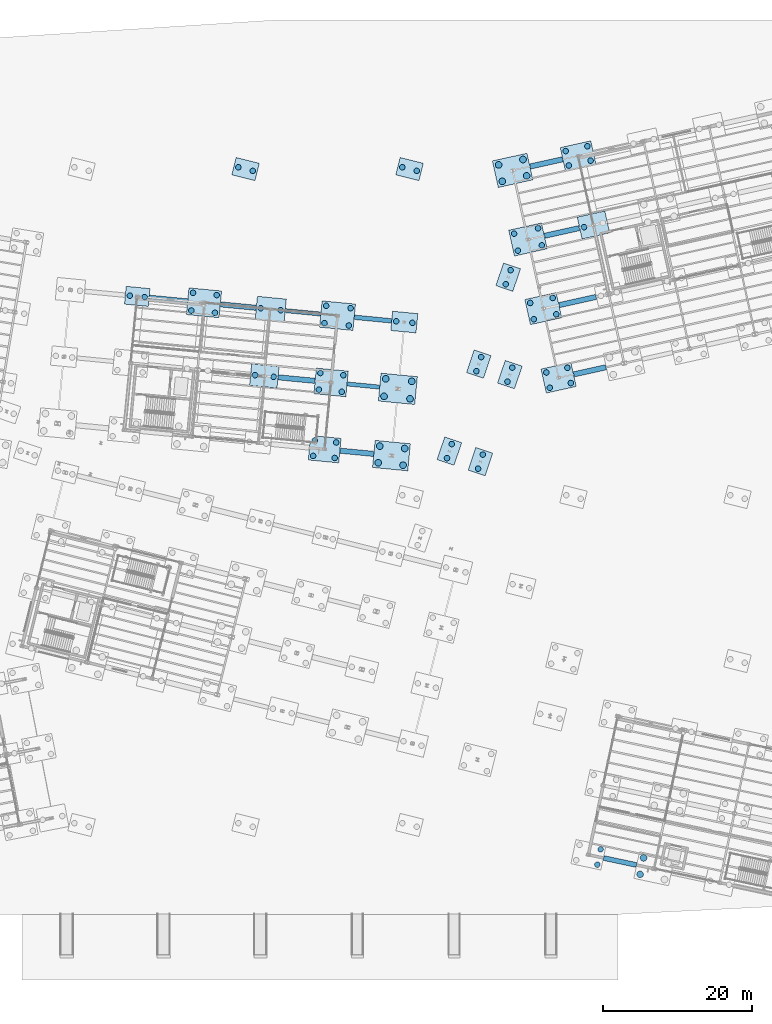
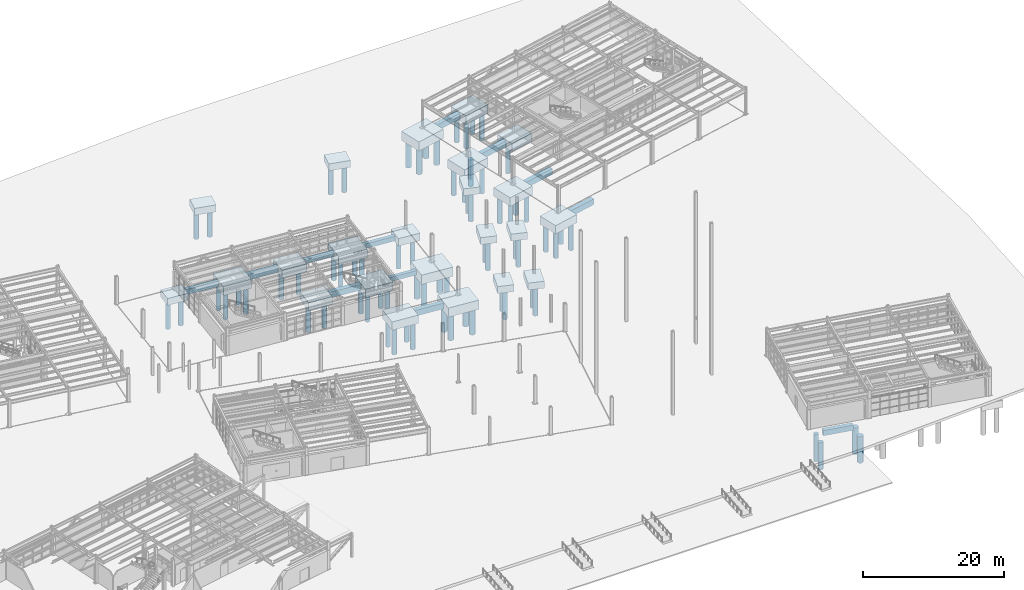
# One storey, part 6 of 108: 71 piles, 35 footings.
"""IFC4 building model written with IfcOpenShell, lengths in metres."""

from ifc_helpers import new_model, si_unit, direction, frame, origin, origin_2d, place, context, subcontext, project, spatial, rectangle, circle, extrude, material, material_profile, profile_set, type_object, element, save


model = new_model("IFC4")

# Units and contexts
model_context = context("Model", 3, precision=1e-05, world=origin(), true_north=direction((0.0, 1.0)))
body_context = subcontext(model_context, "Body", "Model", "MODEL_VIEW")
ifc_project = project(units=[si_unit("LENGTHUNIT", "METRE"), si_unit("AREAUNIT", "SQUARE_METRE"), si_unit("VOLUMEUNIT", "CUBIC_METRE"), si_unit("PLANEANGLEUNIT", "RADIAN"), si_unit("MASSUNIT", "GRAM", prefix="KILO")], contexts=[model_context])

# Site, building, storey
site_placement = place(None, origin())
site = spatial("IfcSite", under=ifc_project, at=site_placement, CompositionType="ELEMENT")
building_placement = place(site_placement, origin())
building = spatial("IfcBuilding", under=site, at=building_placement, Name="Vireo Bluff Cable Station", CompositionType="ELEMENT")
storey_placement = place(building_placement, origin())
storey = spatial("IfcBuildingStorey", under=building, at=storey_placement, Name="L00", CompositionType="ELEMENT", Elevation=0.0)

# Piles
ifc_material_1 = material(Name="Concrete f'c 45 MPa", Category="concrete")
ifc_material_profile_1 = material_profile(ifc_material_1, circle(Radius=0.375, at=origin_2d()), Name="BOREDPILE-750")
ifc_profile_set_1 = profile_set([ifc_material_profile_1], Name="Concrete f'c 45 MPa")
pile_type_1 = type_object("IfcPileType", Name="BOREDPILE-750", PredefinedType="BORED", material=ifc_profile_set_1)
for number, where, z_axis, x_axis, name in (
    (1, (124.8154296875, 72.6669921875, -1.77001953125), (0.0, 0.0, -1.0), (1.0, 0.0, 0.0), "V2 rock-socketed bored pile 79"),
    (2, (127.636962890625, 73.29248046875, -1.77001953125), (0.0, 0.0, -1.0), (1.0, 0.0, 0.0), "V2 rock-socketed bored pile 80"),
    (3, (127.1845703125, 75.3330078125, -1.77001953125), (0.0, 0.0, -1.0), (1.0, 0.0, 0.0), "V2 rock-socketed bored pile 81"),
    (4, (124.363037109375, 74.70751953125, -1.77001953125), (0.0, 0.0, -1.0), (1.0, 0.0, 0.0), "V2 rock-socketed bored pile 82"),
):
    element("IfcPile", number, at=place(storey_placement, frame(where, z_axis=z_axis, x_axis=x_axis)), inside=storey, type_object=pile_type_1, Name=name, PredefinedType="BORED", context=body_context, shape_type="SweptSolid", body=[
        extrude(circle(Radius=0.375, at=origin_2d()), origin(), (0.0, 0.0, 1.0), 4.72998046875),
    ])
for number, where, z_axis, x_axis, name in (
    (5, (122.677978515625, 81.846923828125, -1.81005859375), (0.0, 0.0, -1.0), (1.0, 0.0, 0.0), "V2 rock-socketed bored pile 83"),
    (6, (125.694580078125, 82.515869140625, -1.81005859375), (0.0, 0.0, -1.0), (1.0, 0.0, 0.0), "V2 rock-socketed bored pile 84"),
    (7, (125.209716796875, 84.70263671875, -1.81005859375), (0.0, 0.0, -1.0), (1.0, 0.0, 0.0), "V2 rock-socketed bored pile 85"),
    (8, (122.193115234375, 84.033935546875, -1.81005859375), (0.0, 0.0, -1.0), (1.0, 0.0, 0.0), "V2 rock-socketed bored pile 86"),
):
    element("IfcPile", number, at=place(storey_placement, frame(where, z_axis=z_axis, x_axis=x_axis)), inside=storey, type_object=pile_type_1, Name=name, PredefinedType="BORED", context=body_context, shape_type="SweptSolid", body=[
        extrude(circle(Radius=0.375, at=origin_2d()), origin(), (0.0, 0.0, 1.0), 4.68994140625),
    ])
for number, where, z_axis, x_axis, name in (
    (9, (120.534912109375, 91.05126953125, -1.85009765625), (0.0, 0.0, -1.0), (1.0, 0.0, 0.0), "V2 rock-socketed bored pile 87"),
    (10, (123.746826171875, 91.763427734375, -1.85009765625), (0.0, 0.0, -1.0), (1.0, 0.0, 0.0), "V2 rock-socketed bored pile 88"),
    (11, (123.240478515625, 94.0478515625, -1.85009765625), (0.0, 0.0, -1.0), (1.0, 0.0, 0.0), "V2 rock-socketed bored pile 89"),
    (12, (120.0283203125, 93.3359375, -1.85009765625), (0.0, 0.0, -1.0), (1.0, 0.0, 0.0), "V2 rock-socketed bored pile 90"),
):
    element("IfcPile", number, at=place(storey_placement, frame(where, z_axis=z_axis, x_axis=x_axis)), inside=storey, type_object=pile_type_1, Name=name, PredefinedType="BORED", context=body_context, shape_type="SweptSolid", body=[
        extrude(circle(Radius=0.375, at=origin_2d()), origin(), (0.0, 0.0, 1.0), 4.64990234375),
    ])
pile_placement = place(storey_placement, frame((129.409912109375, 94.21728515625, -1.72998046875), z_axis=(0.0, 0.0, -1.0), x_axis=(1.0, 0.0, 0.0)))
element("IfcPile", 13, at=pile_placement, inside=storey, type_object=pile_type_1, Name="V2 rock-socketed bored pile 101", PredefinedType="BORED", context=body_context, shape_type="SweptSolid", body=[
    extrude(circle(Radius=0.375, at=origin_2d()), origin(), (0.0, 0.0, 1.0), 4.77001953125),
])
for number, where, z_axis, x_axis, name in (
    (14, (127.3740234375, 102.477294921875, -1.830078125), (0.0, 0.0, -1.0), (1.0, 0.0, 0.0), "V2 rock-socketed bored pile 103"),
    (15, (130.29296875, 103.12451171875, -1.830078125), (0.0, 0.0, -1.0), (1.0, 0.0, 0.0), "V2 rock-socketed bored pile 104"),
    (16, (129.8623046875, 105.0673828125, -1.830078125), (0.0, 0.0, -1.0), (1.0, 0.0, 0.0), "V2 rock-socketed bored pile 105"),
    (17, (126.943115234375, 104.420166015625, -1.830078125), (0.0, 0.0, -1.0), (1.0, 0.0, 0.0), "V2 rock-socketed bored pile 106"),
):
    element("IfcPile", number, at=place(storey_placement, frame(where, z_axis=z_axis, x_axis=x_axis)), inside=storey, type_object=pile_type_1, Name=name, PredefinedType="BORED", context=body_context, shape_type="SweptSolid", body=[
        extrude(circle(Radius=0.375, at=origin_2d()), origin(), (0.0, 0.0, 1.0), 4.669921875),
    ])
for number, where, z_axis, x_axis, name in (
    (18, (68.472900390625, 85.016357421875, -1.56005859375), (0.0, 0.0, -1.0), (1.0, 0.0, 0.0), "V3 rock-socketed bored pile 161"),
    (19, (70.45361328125, 84.82568359375, -1.56005859375), (0.0, 0.0, -1.0), (1.0, 0.0, 0.0), "V3 rock-socketed bored pile 162"),
):
    element("IfcPile", number, at=place(storey_placement, frame(where, z_axis=z_axis, x_axis=x_axis)), inside=storey, type_object=pile_type_1, Name=name, PredefinedType="BORED", context=body_context, shape_type="SweptSolid", body=[
        extrude(circle(Radius=0.375, at=origin_2d()), origin(), (0.0, 0.0, 1.0), 4.93994140625),
    ])
for number, where, z_axis, x_axis, name in (
    (20, (76.7197265625, 83.021728515625, -1.909912109375), (0.0, 0.0, -1.0), (1.0, 0.0, 0.0), "V3 rock-socketed bored pile 169"),
    (21, (79.89501953125, 82.716064453125, -1.909912109375), (0.0, 0.0, -1.0), (1.0, 0.0, 0.0), "V3 rock-socketed bored pile 170"),
    (22, (80.1240234375, 85.094970703125, -1.909912109375), (0.0, 0.0, -1.0), (1.0, 0.0, 0.0), "V3 rock-socketed bored pile 171"),
    (23, (76.94873046875, 85.40087890625, -1.909912109375), (0.0, 0.0, -1.0), (1.0, 0.0, 0.0), "V3 rock-socketed bored pile 172"),
):
    element("IfcPile", number, at=place(storey_placement, frame(where, z_axis=z_axis, x_axis=x_axis)), inside=storey, type_object=pile_type_1, Name=name, PredefinedType="BORED", context=body_context, shape_type="SweptSolid", body=[
        extrude(circle(Radius=0.375, at=origin_2d()), origin(), (0.0, 0.0, 1.0), 4.590087890625),
    ])
for number, where, z_axis, x_axis, name in (
    (24, (85.278564453125, 74.3564453125, -1.679931640625), (0.0, 0.0, -1.0), (1.0, 0.0, 0.0), "V3 rock-socketed bored pile 175"),
    (25, (87.757080078125, 74.117919921875, -1.679931640625), (0.0, 0.0, -1.0), (1.0, 0.0, 0.0), "V3 rock-socketed bored pile 176"),
):
    element("IfcPile", number, at=place(storey_placement, frame(where, z_axis=z_axis, x_axis=x_axis)), inside=storey, type_object=pile_type_1, Name=name, PredefinedType="BORED", context=body_context, shape_type="SweptSolid", body=[
        extrude(circle(Radius=0.375, at=origin_2d()), origin(), (0.0, 0.0, 1.0), 4.820068359375),
    ])
for number, where, z_axis, x_axis, name in (
    (26, (86.041748046875, 83.32470703125, -1.739990234375), (0.0, 0.0, -1.0), (1.0, 0.0, 0.0), "V3 rock-socketed bored pile 177"),
    (27, (88.71923828125, 83.06689453125, -1.739990234375), (0.0, 0.0, -1.0), (1.0, 0.0, 0.0), "V3 rock-socketed bored pile 178"),
):
    element("IfcPile", number, at=place(storey_placement, frame(where, z_axis=z_axis, x_axis=x_axis)), inside=storey, type_object=pile_type_1, Name=name, PredefinedType="BORED", context=body_context, shape_type="SweptSolid", body=[
        extrude(circle(Radius=0.375, at=origin_2d()), origin(), (0.0, 0.0, 1.0), 4.760009765625),
    ])
for number, where, z_axis, x_axis, name in (
    (28, (93.0751953125, 63.514404296875, -1.800048828125), (0.0, 0.0, -1.0), (1.0, 0.0, 0.0), "V3 rock-socketed bored pile 179"),
    (29, (95.951904296875, 63.2373046875, -1.800048828125), (0.0, 0.0, -1.0), (1.0, 0.0, 0.0), "V3 rock-socketed bored pile 180"),
    (30, (96.15234375, 65.317626953125, -1.800048828125), (0.0, 0.0, -1.0), (1.0, 0.0, 0.0), "V3 rock-socketed bored pile 181"),
    (31, (93.275634765625, 65.5947265625, -1.800048828125), (0.0, 0.0, -1.0), (1.0, 0.0, 0.0), "V3 rock-socketed bored pile 182"),
):
    element("IfcPile", number, at=place(storey_placement, frame(where, z_axis=z_axis, x_axis=x_axis)), inside=storey, type_object=pile_type_1, Name=name, PredefinedType="BORED", context=body_context, shape_type="SweptSolid", body=[
        extrude(circle(Radius=0.375, at=origin_2d()), origin(), (0.0, 0.0, 1.0), 4.699951171875),
    ])
for number, where, z_axis, x_axis, name in (
    (32, (93.8310546875, 72.407958984375, -1.840087890625), (0.0, 0.0, -1.0), (1.0, 0.0, 0.0), "V3 rock-socketed bored pile 183"),
    (33, (96.906982421875, 72.111572265625, -1.840087890625), (0.0, 0.0, -1.0), (1.0, 0.0, 0.0), "V3 rock-socketed bored pile 184"),
    (34, (97.12158203125, 74.34130859375, -1.840087890625), (0.0, 0.0, -1.0), (1.0, 0.0, 0.0), "V3 rock-socketed bored pile 185"),
    (35, (94.0458984375, 74.637451171875, -1.840087890625), (0.0, 0.0, -1.0), (1.0, 0.0, 0.0), "V3 rock-socketed bored pile 186"),
):
    element("IfcPile", number, at=place(storey_placement, frame(where, z_axis=z_axis, x_axis=x_axis)), inside=storey, type_object=pile_type_1, Name=name, PredefinedType="BORED", context=body_context, shape_type="SweptSolid", body=[
        extrude(circle(Radius=0.375, at=origin_2d()), origin(), (0.0, 0.0, 1.0), 4.659912109375),
    ])
for number, where, z_axis, x_axis, name in (
    (36, (94.58935546875, 81.326171875, -1.8798828125), (0.0, 0.0, -1.0), (1.0, 0.0, 0.0), "V3 rock-socketed bored pile 187"),
    (37, (97.8642578125, 81.010986328125, -1.8798828125), (0.0, 0.0, -1.0), (1.0, 0.0, 0.0), "V3 rock-socketed bored pile 188"),
    (38, (98.088623046875, 83.340087890625, -1.8798828125), (0.0, 0.0, -1.0), (1.0, 0.0, 0.0), "V3 rock-socketed bored pile 189"),
    (39, (94.813720703125, 83.655517578125, -1.8798828125), (0.0, 0.0, -1.0), (1.0, 0.0, 0.0), "V3 rock-socketed bored pile 190"),
):
    element("IfcPile", number, at=place(storey_placement, frame(where, z_axis=z_axis, x_axis=x_axis)), inside=storey, type_object=pile_type_1, Name=name, PredefinedType="BORED", context=body_context, shape_type="SweptSolid", body=[
        extrude(circle(Radius=0.375, at=origin_2d()), origin(), (0.0, 0.0, 1.0), 4.6201171875),
    ])
for number, where, z_axis, x_axis, name in (
    (40, (104.20751953125, 81.575439453125, -1.659912109375), (0.0, 0.0, -1.0), (1.0, 0.0, 0.0), "V3 rock-socketed bored pile 199"),
    (41, (106.387451171875, 81.36572265625, -1.659912109375), (0.0, 0.0, -1.0), (1.0, 0.0, 0.0), "V3 rock-socketed bored pile 200"),
):
    element("IfcPile", number, at=place(storey_placement, frame(where, z_axis=z_axis, x_axis=x_axis)), inside=storey, type_object=pile_type_1, Name=name, PredefinedType="BORED", context=body_context, shape_type="SweptSolid", body=[
        extrude(circle(Radius=0.375, at=origin_2d()), origin(), (0.0, 0.0, 1.0), 4.840087890625),
    ])
for number, where, z_axis, x_axis, name in (
    (42, (131.196044921875, 8.677490234375, -1.77001953125), (0.0, 0.0, -1.0), (1.0, 0.0, 0.0), "V5E rock-socketed bored pile 330"),
    (43, (131.630615234375, 10.7216796875, -1.77001953125), (0.0, 0.0, -1.0), (1.0, 0.0, 0.0), "V5E rock-socketed bored pile 331"),
):
    element("IfcPile", number, at=place(storey_placement, frame(where, z_axis=z_axis, x_axis=x_axis)), inside=storey, type_object=pile_type_1, Name=name, PredefinedType="BORED", context=body_context, shape_type="SweptSolid", body=[
        extrude(circle(Radius=0.375, at=origin_2d()), origin(), (0.0, 0.0, 1.0), 4.72998046875),
    ])
for number, where, z_axis, x_axis, name in (
    (44, (83.03466796875, 102.24072265625, -1.530029296875), (0.0, 0.0, -1.0), (1.0, 0.0, 0.0), "PLAZA rock-socketed bored pile 399"),
    (45, (84.96533203125, 101.75927734375, -1.530029296875), (0.0, 0.0, -1.0), (1.0, 0.0, 0.0), "PLAZA rock-socketed bored pile 400"),
    (46, (105.03466796875, 102.24072265625, -1.530029296875), (0.0, 0.0, -1.0), (1.0, 0.0, 0.0), "PLAZA rock-socketed bored pile 405"),
    (47, (106.96533203125, 101.75927734375, -1.530029296875), (0.0, 0.0, -1.0), (1.0, 0.0, 0.0), "PLAZA rock-socketed bored pile 406"),
    (48, (115.194091796875, 61.80615234375, -1.530029296875), (0.0, 0.0, -1.0), (1.0, 0.0, 0.0), "HAUL-DRIVE rock-socketed bored pile 429"),
    (49, (115.83154296875, 63.691162109375, -1.530029296875), (0.0, 0.0, -1.0), (1.0, 0.0, 0.0), "HAUL-DRIVE rock-socketed bored pile 430"),
    (50, (111.02587890625, 63.2158203125, -1.530029296875), (0.0, 0.0, -1.0), (1.0, 0.0, 0.0), "HAUL-DRIVE rock-socketed bored pile 431"),
    (51, (111.663330078125, 65.100830078125, -1.530029296875), (0.0, 0.0, -1.0), (1.0, 0.0, 0.0), "HAUL-DRIVE rock-socketed bored pile 432"),
    (52, (119.140869140625, 73.476318359375, -1.530029296875), (0.0, 0.0, -1.0), (1.0, 0.0, 0.0), "HAUL-DRIVE rock-socketed bored pile 433"),
    (53, (119.7783203125, 75.361572265625, -1.530029296875), (0.0, 0.0, -1.0), (1.0, 0.0, 0.0), "HAUL-DRIVE rock-socketed bored pile 434"),
    (54, (114.97265625, 74.885986328125, -1.530029296875), (0.0, 0.0, -1.0), (1.0, 0.0, 0.0), "HAUL-DRIVE rock-socketed bored pile 435"),
    (55, (115.610107421875, 76.77099609375, -1.530029296875), (0.0, 0.0, -1.0), (1.0, 0.0, 0.0), "HAUL-DRIVE rock-socketed bored pile 436"),
    (56, (118.91796875, 86.552734375, -1.530029296875), (0.0, 0.0, -1.0), (1.0, 0.0, 0.0), "HAUL-DRIVE rock-socketed bored pile 437"),
    (57, (119.555419921875, 88.437744140625, -1.530029296875), (0.0, 0.0, -1.0), (1.0, 0.0, 0.0), "HAUL-DRIVE rock-socketed bored pile 438"),
):
    element("IfcPile", number, at=place(storey_placement, frame(where, z_axis=z_axis, x_axis=x_axis)), inside=storey, type_object=pile_type_1, Name=name, PredefinedType="BORED", context=body_context, shape_type="SweptSolid", body=[
        extrude(circle(Radius=0.375, at=origin_2d()), origin(), (0.0, 0.0, 1.0), 4.969970703125),
    ])
ifc_material_profile_2 = material_profile(ifc_material_1, circle(Radius=0.449951171875, at=origin_2d()), Name="BOREDPILE-900")
ifc_profile_set_2 = profile_set([ifc_material_profile_2], Name="Concrete f'c 45 MPa")
pile_type_2 = type_object("IfcPileType", Name="BOREDPILE-900", PredefinedType="BORED", material=ifc_profile_set_2)
for number, where, z_axis, x_axis, name in (
    (58, (118.439697265625, 100.363525390625, -1.909912109375), (0.0, 0.0, -1.0), (1.0, 0.0, 0.0), "V2 rock-socketed bored pile 91"),
    (59, (121.710205078125, 101.088623046875, -1.909912109375), (0.0, 0.0, -1.0), (1.0, 0.0, 0.0), "V2 rock-socketed bored pile 92"),
    (60, (121.223388671875, 103.285400390625, -1.909912109375), (0.0, 0.0, -1.0), (1.0, 0.0, 0.0), "V2 rock-socketed bored pile 93"),
    (61, (117.95263671875, 102.560302734375, -1.909912109375), (0.0, 0.0, -1.0), (1.0, 0.0, 0.0), "V2 rock-socketed bored pile 94"),
):
    element("IfcPile", number, at=place(storey_placement, frame(where, z_axis=z_axis, x_axis=x_axis)), inside=storey, type_object=pile_type_2, Name=name, PredefinedType="BORED", context=body_context, shape_type="SweptSolid", body=[
        extrude(circle(Radius=0.449951171875, at=origin_2d()), origin(), (0.0, 0.0, 1.0), 4.590087890625),
    ])
for number, where, z_axis, x_axis, name in (
    (62, (101.797119140625, 62.59423828125, -1.93994140625), (0.0, 0.0, -1.0), (1.0, 0.0, 0.0), "V3 rock-socketed bored pile 191"),
    (63, (105.1318359375, 62.27294921875, -1.93994140625), (0.0, 0.0, -1.0), (1.0, 0.0, 0.0), "V3 rock-socketed bored pile 192"),
    (64, (105.347412109375, 64.5126953125, -1.93994140625), (0.0, 0.0, -1.0), (1.0, 0.0, 0.0), "V3 rock-socketed bored pile 193"),
    (65, (102.012939453125, 64.833740234375, -1.93994140625), (0.0, 0.0, -1.0), (1.0, 0.0, 0.0), "V3 rock-socketed bored pile 194"),
):
    element("IfcPile", number, at=place(storey_placement, frame(where, z_axis=z_axis, x_axis=x_axis)), inside=storey, type_object=pile_type_2, Name=name, PredefinedType="BORED", context=body_context, shape_type="SweptSolid", body=[
        extrude(circle(Radius=0.449951171875, at=origin_2d()), origin(), (0.0, 0.0, 1.0), 4.56005859375),
    ])
for number, where, z_axis, x_axis, name in (
    (66, (102.580322265625, 71.51025390625, -1.97998046875), (0.0, 0.0, -1.0), (1.0, 0.0, 0.0), "V3 rock-socketed bored pile 195"),
    (67, (106.064208984375, 71.174560546875, -1.97998046875), (0.0, 0.0, -1.0), (1.0, 0.0, 0.0), "V3 rock-socketed bored pile 196"),
    (68, (106.28955078125, 73.513916015625, -1.97998046875), (0.0, 0.0, -1.0), (1.0, 0.0, 0.0), "V3 rock-socketed bored pile 197"),
    (69, (102.8056640625, 73.849365234375, -1.97998046875), (0.0, 0.0, -1.0), (1.0, 0.0, 0.0), "V3 rock-socketed bored pile 198"),
):
    element("IfcPile", number, at=place(storey_placement, frame(where, z_axis=z_axis, x_axis=x_axis)), inside=storey, type_object=pile_type_2, Name=name, PredefinedType="BORED", context=body_context, shape_type="SweptSolid", body=[
        extrude(circle(Radius=0.449951171875, at=origin_2d()), origin(), (0.0, 0.0, 1.0), 4.52001953125),
    ])
for number, where, z_axis, x_axis, name in (
    (70, (136.930908203125, 7.376708984375, -1.909912109375), (0.0, 0.0, -1.0), (1.0, 0.0, 0.0), "V5E rock-socketed bored pile 341"),
    (71, (137.39892578125, 9.577392578125, -1.909912109375), (0.0, 0.0, -1.0), (1.0, 0.0, 0.0), "V5E rock-socketed bored pile 344"),
):
    element("IfcPile", number, at=place(storey_placement, frame(where, z_axis=z_axis, x_axis=x_axis)), inside=storey, type_object=pile_type_2, Name=name, PredefinedType="BORED", context=body_context, shape_type="SweptSolid", body=[
        extrude(circle(Radius=0.449951171875, at=origin_2d()), origin(), (0.0, 0.0, 1.0), 4.590087890625),
    ])

# Footings
ifc_material_2 = material(Name="Concrete f'c 40 MPa", Category="concrete")
ifc_material_profile_3 = material_profile(ifc_material_2, rectangle(XDim=0.550048828125, YDim=0.75, at=origin_2d()), Name="GRADEBM-550X750")
ifc_profile_set_3 = profile_set([ifc_material_profile_3], Name="Concrete f'c 40 MPa")
footing_type_1 = type_object("IfcFootingType", Name="GRADEBM-550X750", PredefinedType="FOOTING_BEAM", material=ifc_profile_set_3)
footing_1_placement = place(storey_placement, frame((97.65625, 73.164794921875, -1.070068359375), z_axis=(0.995396388657, -0.095843776267, 0.0), x_axis=(0.095843776267, 0.995396388657, 0.0)))
element("IfcFooting", 72, at=footing_1_placement, inside=storey, type_object=footing_type_1, Name="V3 foundation grade beam 48", PredefinedType="FOOTING_BEAM", context=body_context, shape_type="SweptSolid", body=[
    extrude(rectangle(XDim=0.550048828125, YDim=0.75, at=origin_2d()), origin(), (0.0, 0.0, 1.0), 4.320068359375),
])
footing_2_placement = place(storey_placement, frame((89.361328125, 83.005126953125, -1.02001953125), z_axis=(0.995396131468, -0.095846447288, 0.0), x_axis=(0.095846447288, 0.995396131468, 0.0)))
element("IfcFooting", 73, at=footing_2_placement, inside=storey, type_object=footing_type_1, Name="V3 foundation grade beam 52", PredefinedType="FOOTING_BEAM", context=body_context, shape_type="SweptSolid", body=[
    extrude(rectangle(XDim=0.550048828125, YDim=0.75, at=origin_2d()), origin(), (0.0, 0.0, 1.0), 4.719970703125),
])
ifc_material_profile_4 = material_profile(ifc_material_2, rectangle(XDim=0.60009765625, YDim=0.800048828125, at=origin_2d()), Name="GRADEBM-600X800")
ifc_profile_set_4 = profile_set([ifc_material_profile_4], Name="Concrete f'c 40 MPa")
footing_type_2 = type_object("IfcFootingType", Name="GRADEBM-600X800", PredefinedType="FOOTING_BEAM", material=ifc_profile_set_4)
footing_3_placement = place(storey_placement, frame((98.618408203125, 82.11376953125, -1.090087890625), z_axis=(0.995397141565, -0.095835956533, 0.0), x_axis=(0.095835956533, 0.995397141565, 0.0)))
element("IfcFooting", 74, at=footing_3_placement, inside=storey, type_object=footing_type_2, Name="V3 foundation grade beam 53", PredefinedType="FOOTING_BEAM", context=body_context, shape_type="SweptSolid", body=[
    extrude(rectangle(XDim=0.60009765625, YDim=0.800048828125, at=origin_2d()), origin(), (0.0, 0.0, 1.0), 4.97021484375),
])
ifc_material_profile_5 = material_profile(ifc_material_2, rectangle(XDim=0.64990234375, YDim=0.89990234375, at=origin_2d()), Name="GRADEBM-650X900")
ifc_profile_set_5 = profile_set([ifc_material_profile_5], Name="Concrete f'c 40 MPa")
footing_type_3 = type_object("IfcFootingType", Name="GRADEBM-650X900", PredefinedType="FOOTING_BEAM", material=ifc_profile_set_5)
footing_4_placement = place(storey_placement, frame((71.095703125, 84.763916015625, -0.929931640625), z_axis=(0.995396352499, -0.095844151786, 0.0), x_axis=(0.095844151786, 0.995396352499, 0.0)))
element("IfcFooting", 75, at=footing_4_placement, inside=storey, type_object=footing_type_3, Name="V3 foundation grade beam 50", PredefinedType="FOOTING_BEAM", context=body_context, shape_type="SweptSolid", body=[
    extrude(rectangle(XDim=0.64990234375, YDim=0.89990234375, at=origin_2d()), origin(), (0.0, 0.0, 1.0), 5.1201171875),
])
footing_5_placement = place(storey_placement, frame((132.04443359375, 9.5654296875, -1.02001953125), z_axis=(0.978146839882, -0.207915270313, 0.0), x_axis=(0.207915270313, 0.978146839882, 0.0)))
element("IfcFooting", 76, at=footing_5_placement, inside=storey, type_object=footing_type_3, Name="V5E foundation grade beam 94", PredefinedType="FOOTING_BEAM", context=body_context, shape_type="SweptSolid", body=[
    extrude(rectangle(XDim=0.64990234375, YDim=0.89990234375, at=origin_2d()), origin(), (0.0, 0.0, 1.0), 4.494873046875),
])
ifc_material_profile_6 = material_profile(ifc_material_2, rectangle(XDim=0.699951171875, YDim=1.0, at=origin_2d()), Name="GRADEBM-700X1000")
ifc_profile_set_6 = profile_set([ifc_material_profile_6], Name="Concrete f'c 40 MPa")
footing_type_4 = type_object("IfcFootingType", Name="GRADEBM-700X1000", PredefinedType="FOOTING_BEAM", material=ifc_profile_set_6)
footing_6_placement = place(storey_placement, frame((128.04052734375, 74.452392578125, -1.02001953125), z_axis=(0.976301296106, 0.216415755482, 0.0), x_axis=(-0.216415755482, 0.976301296106, 0.0)))
element("IfcFooting", 77, at=footing_6_placement, inside=storey, type_object=footing_type_4, Name="V2 foundation grade beam 23", PredefinedType="FOOTING_BEAM", context=body_context, shape_type="SweptSolid", body=[
    extrude(rectangle(XDim=0.699951171875, YDim=1.0, at=origin_2d()), origin(), (0.0, 0.0, 1.0), 4.419921875),
])
footing_7_placement = place(storey_placement, frame((126.08203125, 83.748779296875, -1.0400390625), z_axis=(0.976292319255, 0.216456248153, 0.0), x_axis=(-0.216456248153, 0.976292319255, 0.0)))
element("IfcFooting", 78, at=footing_7_placement, inside=storey, type_object=footing_type_4, Name="V2 foundation grade beam 27", PredefinedType="FOOTING_BEAM", context=body_context, shape_type="SweptSolid", body=[
    extrude(rectangle(XDim=0.699951171875, YDim=1.0, at=origin_2d()), origin(), (0.0, 0.0, 1.0), 5.06982421875),
])
footing_8_placement = place(storey_placement, frame((124.123291015625, 93.045166015625, -1.06005859375), z_axis=(0.976294121885, 0.216448117507, 0.0), x_axis=(-0.216448117507, 0.976294121885, 0.0)))
element("IfcFooting", 79, at=footing_8_placement, inside=storey, type_object=footing_type_4, Name="V2 foundation grade beam 31", PredefinedType="FOOTING_BEAM", context=body_context, shape_type="SweptSolid", body=[
    extrude(rectangle(XDim=0.699951171875, YDim=1.0, at=origin_2d()), origin(), (0.0, 0.0, 1.0), 4.77001953125),
])
footing_9_placement = place(storey_placement, frame((122.189208984375, 102.34716796875, -1.090087890625), z_axis=(0.976291627089, 0.216459370034, 0.0), x_axis=(-0.216459370034, 0.976291627089, 0.0)))
element("IfcFooting", 80, at=footing_9_placement, inside=storey, type_object=footing_type_4, Name="V2 foundation grade beam 35", PredefinedType="FOOTING_BEAM", context=body_context, shape_type="SweptSolid", body=[
    extrude(rectangle(XDim=0.699951171875, YDim=1.0, at=origin_2d()), origin(), (0.0, 0.0, 1.0), 4.445068359375),
])
footing_10_placement = place(storey_placement, frame((96.694091796875, 64.2158203125, -1.050048828125), z_axis=(0.995394588718, -0.095862467894, 0.0), x_axis=(0.095862467894, 0.995394588718, 0.0)))
element("IfcFooting", 81, at=footing_10_placement, inside=storey, type_object=footing_type_4, Name="V3 foundation grade beam 43", PredefinedType="FOOTING_BEAM", context=body_context, shape_type="SweptSolid", body=[
    extrude(rectangle(XDim=0.699951171875, YDim=1.0, at=origin_2d()), origin(), (0.0, 0.0, 1.0), 4.4951171875),
])
footing_11_placement = place(storey_placement, frame((88.399169921875, 74.05615234375, -0.989990234375), z_axis=(0.995393651054, -0.095872203691, 0.0), x_axis=(0.095872203691, 0.995393651054, 0.0)))
element("IfcFooting", 82, at=footing_11_placement, inside=storey, type_object=footing_type_4, Name="V3 foundation grade beam 47", PredefinedType="FOOTING_BEAM", context=body_context, shape_type="SweptSolid", body=[
    extrude(rectangle(XDim=0.699951171875, YDim=1.0, at=origin_2d()), origin(), (0.0, 0.0, 1.0), 4.919921875),
])
footing_12_placement = place(storey_placement, frame((80.651611328125, 83.84375, -1.10498046875), z_axis=(0.995394388586, -0.09586454596, 0.0), x_axis=(0.09586454596, 0.995394388586, 0.0)))
element("IfcFooting", 83, at=footing_12_placement, inside=storey, type_object=footing_type_4, Name="V3 foundation grade beam 51", PredefinedType="FOOTING_BEAM", context=body_context, shape_type="SweptSolid", body=[
    extrude(rectangle(XDim=0.699951171875, YDim=1.0, at=origin_2d()), origin(), (0.0, 0.0, 1.0), 4.77001953125),
])
footing_type_5 = type_object("IfcFootingType", Name="PCAP-320X240X120", PredefinedType="PILE_CAP", material=ifc_material_2)
for number, where, z_axis, x_axis, name in (
    (84, (69.46337890625, 84.9208984375, -1.68017578125), (0.0, 0.0, 1.0), (0.995396198367, -0.09584575252, 0.0), "V3 pile cap 52"),
    (85, (84.0, 102.0, -1.64990234375), (0.0, 0.0, 1.0), (0.970295726276, -0.2419218956, 0.0), "PLAZA pile cap 131"),
    (86, (106.0, 102.0, -1.64990234375), (0.0, 0.0, 1.0), (0.970295726276, -0.2419218956, 0.0), "PLAZA pile cap 134"),
    (87, (115.512939453125, 62.748779296875, -1.64990234375), (0.0, 0.0, 1.0), (0.32035190998, 0.947298608556, 0.0), "HAUL-DRIVE pile cap 144"),
    (88, (111.3447265625, 64.158203125, -1.64990234375), (0.0, 0.0, 1.0), (0.32035190998, 0.947298608556, 0.0), "HAUL-DRIVE pile cap 145"),
    (89, (119.45947265625, 74.4189453125, -1.64990234375), (0.0, 0.0, 1.0), (0.32035190998, 0.947298608556, 0.0), "HAUL-DRIVE pile cap 146"),
    (90, (115.291259765625, 75.82861328125, -1.64990234375), (0.0, 0.0, 1.0), (0.32035190998, 0.947298608556, 0.0), "HAUL-DRIVE pile cap 147"),
    (91, (119.236572265625, 87.4951171875, -1.64990234375), (0.0, 0.0, 1.0), (0.32035190998, 0.947298608556, 0.0), "HAUL-DRIVE pile cap 148"),
):
    element("IfcFooting", number, at=place(storey_placement, frame(where, z_axis=z_axis, x_axis=x_axis)), inside=storey, type_object=footing_type_5, Name=name, PredefinedType="PILE_CAP", context=body_context, shape_type="SweptSolid", body=[
        extrude(rectangle(XDim=3.199951171875, YDim=2.39990234375, at=origin_2d()), origin(), (0.0, 0.0, 1.0), 1.199951171875),
    ])
footing_type_6 = type_object("IfcFootingType", Name="PCAP-340X260X130", PredefinedType="PILE_CAP", material=ifc_material_2)
footing_13_placement = place(storey_placement, frame((105.297607421875, 81.470458984375, -1.77978515625), z_axis=(0.0, 0.0, 1.0), x_axis=(0.995396198367, -0.09584575252, 0.0)))
element("IfcFooting", 92, at=footing_13_placement, inside=storey, type_object=footing_type_6, Name="V3 pile cap 64", PredefinedType="PILE_CAP", context=body_context, shape_type="SweptSolid", body=[
    extrude(rectangle(XDim=3.39990234375, YDim=2.60009765625, at=origin_2d()), origin(), (0.0, 0.0, 1.0), 1.300048828125),
])
footing_type_7 = type_object("IfcFootingType", Name="PCAP-370X290X132", PredefinedType="PILE_CAP", material=ifc_material_2)
footing_14_placement = place(storey_placement, frame((86.517822265625, 74.2373046875, -1.7998046875), z_axis=(0.0, 0.0, 1.0), x_axis=(0.995396198367, -0.09584575252, 0.0)))
element("IfcFooting", 93, at=footing_14_placement, inside=storey, type_object=footing_type_7, Name="V3 pile cap 57", PredefinedType="PILE_CAP", context=body_context, shape_type="SweptSolid", body=[
    extrude(rectangle(XDim=3.699951171875, YDim=2.89990234375, at=origin_2d()), origin(), (0.0, 0.0, 1.0), 1.320068359375),
])
footing_type_8 = type_object("IfcFootingType", Name="PCAP-380X300X140", PredefinedType="PILE_CAP", material=ifc_material_2)
footing_15_placement = place(storey_placement, frame((130.67431640625, 94.49755859375, -1.849853515625), z_axis=(0.0, 0.0, 1.0), x_axis=(0.97629600712, 0.216439613938, 0.0)))
element("IfcFooting", 94, at=footing_15_placement, inside=storey, type_object=footing_type_8, Name="V2 pile cap 33", PredefinedType="PILE_CAP", context=body_context, shape_type="SweptSolid", body=[
    extrude(rectangle(XDim=3.800048828125, YDim=3.0, at=origin_2d()), origin(), (0.0, 0.0, 1.0), 1.39990234375),
])
footing_type_9 = type_object("IfcFootingType", Name="PCAP-390X310X138", PredefinedType="PILE_CAP", material=ifc_material_2)
footing_16_placement = place(storey_placement, frame((87.38037109375, 83.19580078125, -1.85986328125), z_axis=(0.0, 0.0, 1.0), x_axis=(0.995396198367, -0.09584575252, 0.0)))
element("IfcFooting", 95, at=footing_16_placement, inside=storey, type_object=footing_type_9, Name="V3 pile cap 58", PredefinedType="PILE_CAP", context=body_context, shape_type="SweptSolid", body=[
    extrude(rectangle(XDim=3.89990234375, YDim=3.10009765625, at=origin_2d()), origin(), (0.0, 0.0, 1.0), 1.3798828125),
])
footing_type_10 = type_object("IfcFootingType", Name="PCAP-409X330X144", PredefinedType="PILE_CAP", material=ifc_material_2)
for number, where, z_axis, x_axis, name in (
    (96, (126.0, 74.0, -1.889892578125), (0.0, 0.0, 1.0), (0.97629600712, 0.216439613938, 0.0), "V2 pile cap 27"),
    (97, (94.61376953125, 64.416015625, -1.919921875), (0.0, 0.0, 1.0), (0.995396198367, -0.09584575252, 0.0), "V3 pile cap 59"),
):
    element("IfcFooting", number, at=place(storey_placement, frame(where, z_axis=z_axis, x_axis=x_axis)), inside=storey, type_object=footing_type_10, Name=name, PredefinedType="PILE_CAP", context=body_context, shape_type="SweptSolid", body=[
        extrude(rectangle(XDim=4.10009765625, YDim=3.300048828125, at=origin_2d()), origin(), (0.0, 0.0, 1.0), 1.43994140625),
    ])
footing_type_11 = type_object("IfcFootingType", Name="PCAP-420X320X150", PredefinedType="PILE_CAP", material=ifc_material_2)
footing_17_placement = place(storey_placement, frame((128.6181640625, 103.7724609375, -1.949951171875), z_axis=(0.0, 0.0, 1.0), x_axis=(0.97629600712, 0.216439613938, 0.0)))
element("IfcFooting", 98, at=footing_17_placement, inside=storey, type_object=footing_type_11, Name="V2 pile cap 34", PredefinedType="PILE_CAP", context=body_context, shape_type="SweptSolid", body=[
    extrude(rectangle(XDim=4.199951171875, YDim=3.199951171875, at=origin_2d()), origin(), (0.0, 0.0, 1.0), 1.5),
])
footing_type_12 = type_object("IfcFootingType", Name="PCAP-430X345X148", PredefinedType="PILE_CAP", material=ifc_material_2)
for number, where, z_axis, x_axis, name in (
    (99, (123.94384765625, 83.27490234375, -1.929931640625), (0.0, 0.0, 1.0), (0.97629600712, 0.216439613938, 0.0), "V2 pile cap 28"),
    (100, (95.476318359375, 73.37451171875, -1.9599609375), (0.0, 0.0, 1.0), (0.995396198367, -0.09584575252, 0.0), "V3 pile cap 60"),
):
    element("IfcFooting", number, at=place(storey_placement, frame(where, z_axis=z_axis, x_axis=x_axis)), inside=storey, type_object=footing_type_12, Name=name, PredefinedType="PILE_CAP", context=body_context, shape_type="SweptSolid", body=[
        extrude(rectangle(XDim=4.300048828125, YDim=3.449951171875, at=origin_2d()), origin(), (0.0, 0.0, 1.0), 1.47998046875),
    ])
footing_type_13 = type_object("IfcFootingType", Name="PCAP-440X360X155", PredefinedType="PILE_CAP", material=ifc_material_2)
footing_18_placement = place(storey_placement, frame((78.421875, 84.058349609375, -2.02978515625), z_axis=(0.0, 0.0, 1.0), x_axis=(0.995396198367, -0.09584575252, 0.0)))
element("IfcFooting", 101, at=footing_18_placement, inside=storey, type_object=footing_type_13, Name="V3 pile cap 55", PredefinedType="PILE_CAP", context=body_context, shape_type="SweptSolid", body=[
    extrude(rectangle(XDim=4.39990234375, YDim=3.60009765625, at=origin_2d()), origin(), (0.0, 0.0, 1.0), 1.550048828125),
])
footing_type_14 = type_object("IfcFootingType", Name="PCAP-450X355X152", PredefinedType="PILE_CAP", material=ifc_material_2)
for number, where, z_axis, x_axis, name in (
    (102, (121.8876953125, 92.549560546875, -1.969970703125), (0.0, 0.0, 1.0), (0.97629600712, 0.216439613938, 0.0), "V2 pile cap 29"),
    (103, (96.339111328125, 82.333251953125, -2.0), (0.0, 0.0, 1.0), (0.995396198367, -0.09584575252, 0.0), "V3 pile cap 61"),
):
    element("IfcFooting", number, at=place(storey_placement, frame(where, z_axis=z_axis, x_axis=x_axis)), inside=storey, type_object=footing_type_14, Name=name, PredefinedType="PILE_CAP", context=body_context, shape_type="SweptSolid", body=[
        extrude(rectangle(XDim=4.5, YDim=3.550048828125, at=origin_2d()), origin(), (0.0, 0.0, 1.0), 1.52001953125),
    ])
footing_type_15 = type_object("IfcFootingType", Name="PCAP-475X365X158", PredefinedType="PILE_CAP", material=ifc_material_2)
for number, where, z_axis, x_axis, name in (
    (104, (119.83154296875, 101.824462890625, -2.030029296875), (0.0, 0.0, 1.0), (0.97629600712, 0.216439613938, 0.0), "V2 pile cap 30"),
    (105, (103.572265625, 63.553466796875, -2.06005859375), (0.0, 0.0, 1.0), (0.995396198367, -0.09584575252, 0.0), "V3 pile cap 62"),
):
    element("IfcFooting", number, at=place(storey_placement, frame(where, z_axis=z_axis, x_axis=x_axis)), inside=storey, type_object=footing_type_15, Name=name, PredefinedType="PILE_CAP", context=body_context, shape_type="SweptSolid", body=[
        extrude(rectangle(XDim=4.75, YDim=3.64990234375, at=origin_2d()), origin(), (0.0, 0.0, 1.0), 1.580078125),
    ])
footing_type_16 = type_object("IfcFootingType", Name="PCAP-490X375X162", PredefinedType="PILE_CAP", material=ifc_material_2)
footing_19_placement = place(storey_placement, frame((104.43505859375, 72.511962890625, -2.10009765625), z_axis=(0.0, 0.0, 1.0), x_axis=(0.995396198367, -0.09584575252, 0.0)))
element("IfcFooting", 106, at=footing_19_placement, inside=storey, type_object=footing_type_16, Name="V3 pile cap 63", PredefinedType="PILE_CAP", context=body_context, shape_type="SweptSolid", body=[
    extrude(rectangle(XDim=4.89990234375, YDim=3.75, at=origin_2d()), origin(), (0.0, 0.0, 1.0), 1.6201171875),
])

save(model, "model.ifc")
